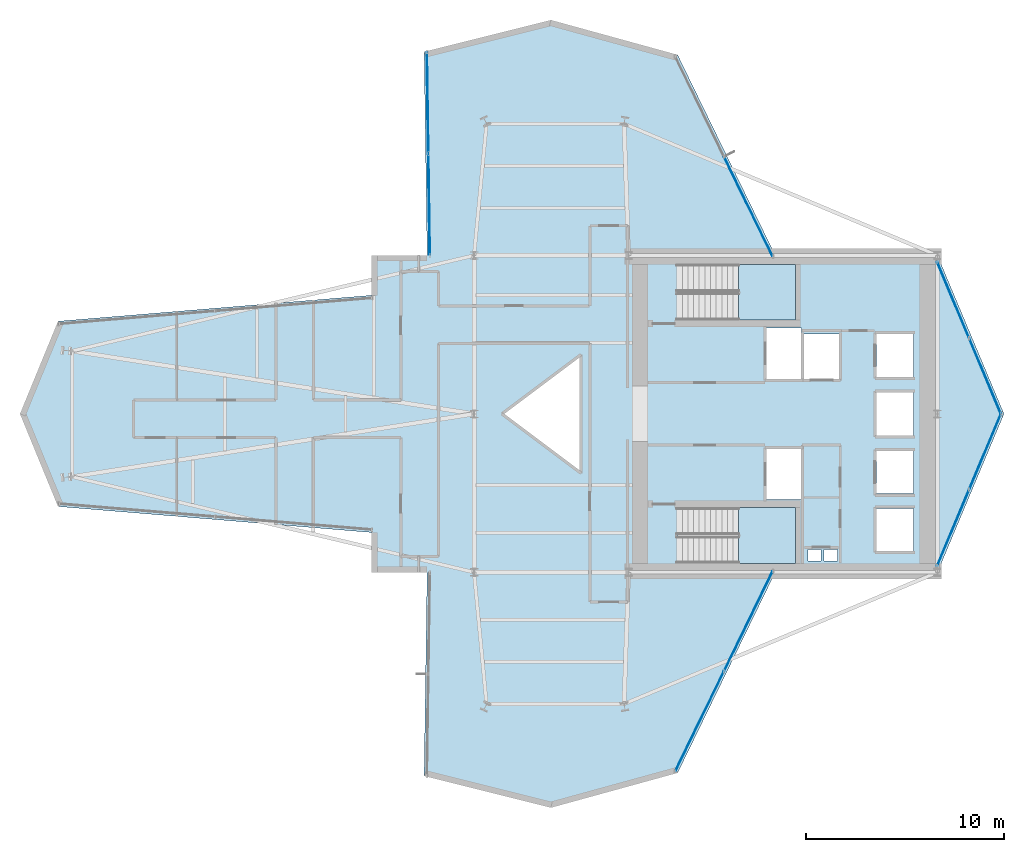
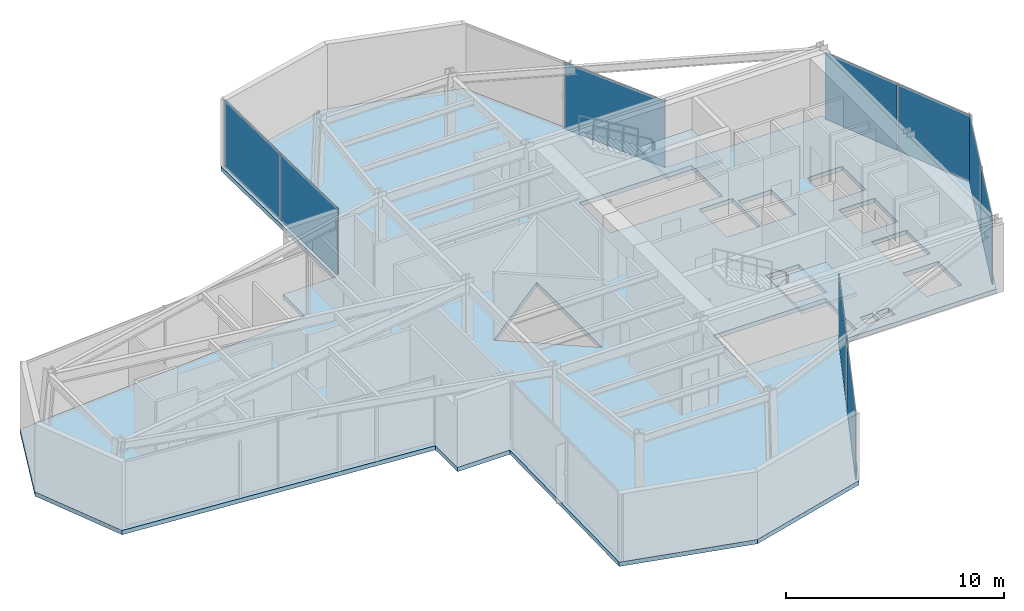
# One storey, part 20 of 24: 9 plates, 3 slabs, 7 elements without a shape of their own.
"""IFC4 building model written with IfcOpenShell, lengths in metres."""

from ifc_helpers import new_model, si_unit, direction, frame, origin, origin_2d, place, context, subcontext, project, spatial, polyline, rectangle, outline, extrude, material, layer, layer_set, type_object, element, aggregate, save


model = new_model("IFC4")

# Units and contexts
model_context = context("Model", 3, precision=1e-05, world=origin(), true_north=direction((0.0, 1.0)))
body_context = subcontext(model_context, "Body", "Model", "MODEL_VIEW")
ifc_project = project(units=[si_unit("LENGTHUNIT", "METRE"), si_unit("AREAUNIT", "SQUARE_METRE"), si_unit("VOLUMEUNIT", "CUBIC_METRE"), si_unit("PLANEANGLEUNIT", "RADIAN"), si_unit("MASSUNIT", "GRAM", prefix="KILO")], contexts=[model_context])

# Site, building, storey
site_placement = place(None, origin())
site = spatial("IfcSite", under=ifc_project, at=site_placement, CompositionType="ELEMENT")
building_placement = place(site_placement, origin())
building = spatial("IfcBuilding", under=site, at=building_placement, Name="Veymaron Broadcast Tower", CompositionType="ELEMENT")
storey_placement = place(building_placement, frame((0.0, 0.0, 124.949951171875)))
storey = spatial("IfcBuildingStorey", under=building, at=storey_placement, Name="L28", CompositionType="ELEMENT", Elevation=124.949951171875)

# Curtain wall, plates
ifc_material_1 = material(Name="Anodised aluminium AA 6063-T6 and laminated low-E dark glass", Category="aluminium")
ifc_layer_1 = layer(ifc_material_1, 0.179931640625)
ifc_layer_set_1 = layer_set([ifc_layer_1], Name="Anodised aluminium AA 6063-T6 and laminated low-E dark glass")
curtain_wall_type = type_object("IfcCurtainWallType", Name="CW-SYS-03", PredefinedType="NOTDEFINED", material=ifc_layer_set_1)
curtain_wall_1_placement = place(storey_placement, origin())
curtain_wall_1 = element("IfcCurtainWall", 1, at=curtain_wall_1_placement, inside=storey, type_object=curtain_wall_type, Name="L28 dark-glass curtain wall CW-L28-E2-1", PredefinedType="NOTDEFINED")
ifc_material_2 = material(Name="Insulated dark-anodised aluminium spandrel panel 40 mm", Category="aluminium")
ifc_layer_2 = layer(ifc_material_2, 0.0400390625)
ifc_layer_set_2 = layer_set([ifc_layer_2], Name="Insulated dark-anodised aluminium spandrel panel 40 mm")
plate_type = type_object("IfcPlateType", Name="CW-PNL-03", PredefinedType="CURTAIN_PANEL", material=ifc_layer_set_2)
plate_1_placement = place(storey_placement, frame((55.390380859375, 18.243408203125, 0.0400390625), z_axis=(0.0, 0.0, 1.0), x_axis=(0.387225955483, 0.921984847706, 0.0)))
plate_1 = element("IfcPlate", 2, at=plate_1_placement, type_object=plate_type, Name="CW-L28-E2-1 unitised curtain panel 0", PredefinedType="CURTAIN_PANEL", context=body_context, shape_type="SweptSolid", body=[
    extrude(rectangle(XDim=4.141845703125, YDim=0.0400390625, at=origin_2d()), origin(), (0.0, 0.0, 1.0), 3.72998046875),
])
plate_2_placement = place(storey_placement, frame((57.017333984375, 22.1171875, 0.0400390625), z_axis=(0.0, 0.0, 1.0), x_axis=(0.387225955483, 0.921984847706, 0.0)))
plate_2 = element("IfcPlate", 3, at=plate_2_placement, type_object=plate_type, Name="CW-L28-E2-1 unitised curtain panel 1", PredefinedType="CURTAIN_PANEL", context=body_context, shape_type="SweptSolid", body=[
    extrude(rectangle(XDim=4.141845703125, YDim=0.0400390625, at=origin_2d()), origin(), (0.0, 0.0, 1.0), 3.72998046875),
])
aggregate(curtain_wall_1, [plate_1, plate_2])

curtain_wall_2_placement = place(storey_placement, origin())
curtain_wall_2 = element("IfcCurtainWall", 4, at=curtain_wall_2_placement, inside=storey, type_object=curtain_wall_type, Name="L28 dark-glass curtain wall CW-L28-E3-1", PredefinedType="NOTDEFINED")
plate_3_placement = place(storey_placement, frame((57.017333984375, 25.8828125, 0.0400390625), z_axis=(0.0, 0.0, 1.0), x_axis=(-0.387225955483, 0.921984847706, 0.0)))
plate_3 = element("IfcPlate", 5, at=plate_3_placement, type_object=plate_type, Name="CW-L28-E3-1 unitised curtain panel 0", PredefinedType="CURTAIN_PANEL", context=body_context, shape_type="SweptSolid", body=[
    extrude(rectangle(XDim=4.141845703125, YDim=0.0400390625, at=origin_2d()), origin(), (0.0, 0.0, 1.0), 3.72998046875),
])
plate_4_placement = place(storey_placement, frame((55.390380859375, 29.756591796875, 0.0400390625), z_axis=(0.0, 0.0, 1.0), x_axis=(-0.387225955483, 0.921984847706, 0.0)))
plate_4 = element("IfcPlate", 6, at=plate_4_placement, type_object=plate_type, Name="CW-L28-E3-1 unitised curtain panel 1", PredefinedType="CURTAIN_PANEL", context=body_context, shape_type="SweptSolid", body=[
    extrude(rectangle(XDim=4.141845703125, YDim=0.0400390625, at=origin_2d()), origin(), (0.0, 0.0, 1.0), 3.72998046875),
])
aggregate(curtain_wall_2, [plate_3, plate_4])

# Curtain wall, plate
curtain_wall_3_placement = place(storey_placement, origin())
curtain_wall_3 = element("IfcCurtainWall", 7, at=curtain_wall_3_placement, inside=storey, type_object=curtain_wall_type, Name="L28 dark-glass curtain wall CW-L28-E5-1", PredefinedType="NOTDEFINED")
plate_5_placement = place(storey_placement, frame((45.052490234375, 34.46875, 0.0400390625), z_axis=(0.0, 0.0, 1.0), x_axis=(-0.437822022994, 0.899061664282, 0.0)))
plate_5 = element("IfcPlate", 8, at=plate_5_placement, type_object=plate_type, Name="CW-L28-E5-1 unitised curtain panel 0", PredefinedType="CURTAIN_PANEL", context=body_context, shape_type="SweptSolid", body=[
    extrude(rectangle(XDim=5.568115234375, YDim=0.0400390625, at=origin_2d()), origin(), (0.0, 0.0, 1.0), 3.72998046875),
])
aggregate(curtain_wall_3, [plate_5])

# Curtain wall, plates
curtain_wall_4_placement = place(storey_placement, origin())
curtain_wall_4 = element("IfcCurtainWall", 9, at=curtain_wall_4_placement, inside=storey, type_object=curtain_wall_type, Name="L28 dark-glass curtain wall CW-L28-E8-1", PredefinedType="NOTDEFINED")
plate_6_placement = place(storey_placement, frame((28.85546875, 39.7119140625, 0.0400390625), z_axis=(0.0, 0.0, 1.0), x_axis=(0.014642789111, -0.999892788616, 0.0)))
plate_6 = element("IfcPlate", 10, at=plate_6_placement, type_object=plate_type, Name="CW-L28-E8-1 unitised curtain panel 0", PredefinedType="CURTAIN_PANEL", context=body_context, shape_type="SweptSolid", body=[
    extrude(rectangle(XDim=5.08056640625, YDim=0.0400390625, at=origin_2d()), origin(), (0.0, 0.0, 1.0), 3.72998046875),
])
plate_7_placement = place(storey_placement, frame((28.9306640625, 34.572021484375, 0.0400390625), z_axis=(0.0, 0.0, 1.0), x_axis=(0.014642789111, -0.999892788616, 0.0)))
plate_7 = element("IfcPlate", 11, at=plate_7_placement, type_object=plate_type, Name="CW-L28-E8-1 unitised curtain panel 1", PredefinedType="CURTAIN_PANEL", context=body_context, shape_type="SweptSolid", body=[
    extrude(rectangle(XDim=5.08056640625, YDim=0.0400390625, at=origin_2d()), origin(), (0.0, 0.0, 1.0), 3.72998046875),
])
aggregate(curtain_wall_4, [plate_6, plate_7])

curtain_wall_5_placement = place(storey_placement, origin())
curtain_wall_5 = element("IfcCurtainWall", 12, at=curtain_wall_5_placement, inside=storey, type_object=curtain_wall_type, Name="L28 dark-glass curtain wall CW-L28-E20-1", PredefinedType="NOTDEFINED")
plate_8_placement = place(storey_placement, frame((42.58837890625, 8.47119140625, 0.0400390625), z_axis=(0.0, 0.0, 1.0), x_axis=(0.437822022994, 0.899061664282, 0.0)))
plate_8 = element("IfcPlate", 13, at=plate_8_placement, type_object=plate_type, Name="CW-L28-E20-1 unitised curtain panel 0", PredefinedType="CURTAIN_PANEL", context=body_context, shape_type="SweptSolid", body=[
    extrude(rectangle(XDim=5.568115234375, YDim=0.0400390625, at=origin_2d()), origin(), (0.0, 0.0, 1.0), 3.72998046875),
])
plate_9_placement = place(storey_placement, frame((45.052490234375, 13.53125, 0.0400390625), z_axis=(0.0, 0.0, 1.0), x_axis=(0.437822022994, 0.899061664282, 0.0)))
plate_9 = element("IfcPlate", 14, at=plate_9_placement, type_object=plate_type, Name="CW-L28-E20-1 unitised curtain panel 1", PredefinedType="CURTAIN_PANEL", context=body_context, shape_type="SweptSolid", body=[
    extrude(rectangle(XDim=5.568115234375, YDim=0.0400390625, at=origin_2d()), origin(), (0.0, 0.0, 1.0), 3.72998046875),
])
aggregate(curtain_wall_5, [plate_8, plate_9])

# Slab
ifc_material_3 = material(Name="Concrete C40/50", Category="concrete")
ifc_layer_3 = layer(ifc_material_3, 0.239990234375)
ifc_layer_set_3 = layer_set([ifc_layer_3], Name="Concrete C40/50")
slab_type_1 = type_object("IfcSlabType", Name="SLAB-FS6", PredefinedType="FLOOR", material=ifc_layer_set_3)
slab_1_placement = place(storey_placement, frame((0.0, 0.0, -0.239990234375)))
element("IfcSlab", 15, at=slab_1_placement, inside=storey, type_object=slab_type_1, Name="L28 structural floor slab", PredefinedType="FLOOR", context=body_context, shape_type="SweptSolid", body=[
    extrude(outline(polyline([(46.410400390625, 16.0), (54.60009765625, 16.0), (57.9599609375, 24.0), (54.60009765625, 32.0), (46.410400390625, 32.0), (41.482177734375, 42.1201171875), (35.080078125, 43.8798828125), (28.677734375, 42.280029296875), (28.828369140625, 32.0), (26.0400390625, 32.0), (26.0400390625, 29.990478515625), (10.199951171875, 28.6787109375), (8.280029296875, 24.0), (10.199951171875, 19.3212890625), (26.0400390625, 18.009521484375), (26.0400390625, 16.0), (28.828369140625, 16.0), (28.677734375, 5.719970703125), (35.080078125, 4.1201171875), (41.482177734375, 5.8798828125), (46.410400390625, 16.0)]), holes=[polyline([(45.969970703125, 28.330078125), (47.72998046875, 28.330078125), (47.72998046875, 25.77001953125), (45.969970703125, 25.77001953125), (45.969970703125, 28.330078125)]), polyline([(45.969970703125, 22.22998046875), (47.72998046875, 22.22998046875), (47.72998046875, 19.669921875), (45.969970703125, 19.669921875), (45.969970703125, 22.22998046875)]), polyline([(47.8701171875, 28.030029296875), (49.6298828125, 28.030029296875), (49.6298828125, 25.77001953125), (47.8701171875, 25.77001953125), (47.8701171875, 28.030029296875)]), polyline([(51.52001953125, 28.030029296875), (53.3798828125, 28.030029296875), (53.3798828125, 25.8701171875), (51.52001953125, 25.8701171875), (51.52001953125, 28.030029296875)]), polyline([(51.52001953125, 22.1298828125), (53.3798828125, 22.1298828125), (53.3798828125, 19.969970703125), (51.52001953125, 19.969970703125), (51.52001953125, 22.1298828125)]), polyline([(51.52001953125, 25.080078125), (53.3798828125, 25.080078125), (53.3798828125, 22.919921875), (51.52001953125, 22.919921875), (51.52001953125, 25.080078125)]), polyline([(51.52001953125, 19.22998046875), (53.3798828125, 19.22998046875), (53.3798828125, 17.070068359375), (51.52001953125, 17.070068359375), (51.52001953125, 19.22998046875)]), polyline([(48.050048828125, 17.159912109375), (48.719970703125, 17.159912109375), (48.719970703125, 16.56005859375), (48.050048828125, 16.56005859375), (48.050048828125, 17.159912109375)]), polyline([(48.8798828125, 17.159912109375), (49.550048828125, 17.159912109375), (49.550048828125, 16.56005859375), (48.8798828125, 16.56005859375), (48.8798828125, 17.159912109375)]), polyline([(36.60009765625, 27.0), (36.60009765625, 21.0), (32.60009765625, 24.0), (36.60009765625, 27.0)]), polyline([(41.489990234375, 31.550048828125), (47.43994140625, 31.550048828125), (47.43994140625, 28.72998046875), (41.489990234375, 28.72998046875), (41.489990234375, 31.550048828125)]), polyline([(41.489990234375, 19.27001953125), (47.43994140625, 19.27001953125), (47.43994140625, 16.449951171875), (41.489990234375, 16.449951171875), (41.489990234375, 19.27001953125)])]), origin(), (0.0, 0.0, 1.0), 0.239990234375),
])

# Stair, slab
ifc_material_4 = material(Name="Concrete C50/60", Category="concrete")
stair_type_1 = type_object("IfcStairType", Name="STAIR-CORE-1", PredefinedType="HALF_TURN_STAIR", material=ifc_material_4)
stair_1_placement = place(storey_placement, origin())
stair_1 = element("IfcStair", 16, at=stair_1_placement, inside=storey, type_object=stair_type_1, Name="L28 North protected dog-leg exit stair ST1", PredefinedType="HALF_TURN_STAIR")
ifc_layer_4 = layer(ifc_material_4, 0.199951171875)
ifc_layer_set_4 = layer_set([ifc_layer_4], Name="Concrete C50/60")
slab_type_2 = type_object("IfcSlabType", Name="SLAB-STAIR-LDG", PredefinedType="LANDING", material=ifc_layer_set_4)
slab_2_placement = place(storey_placement, frame((0.0, 0.0, 1.824951171875)))
slab_2 = element("IfcSlab", 17, at=slab_2_placement, type_object=slab_type_2, Name="ST1 landing 1", PredefinedType="LANDING", context=body_context, shape_type="SweptSolid", body=[
    extrude(outline(polyline([(44.56494140625, 28.72998046875), (47.43994140625, 28.72998046875), (47.43994140625, 31.550048828125), (44.56494140625, 31.550048828125), (44.56494140625, 28.72998046875)])), origin(), (0.0, 0.0, 1.0), 0.2001953125),
])
aggregate(stair_1, [slab_2])

stair_type_2 = type_object("IfcStairType", Name="STAIR-CORE-2", PredefinedType="HALF_TURN_STAIR", material=ifc_material_4)
stair_2_placement = place(storey_placement, origin())
stair_2 = element("IfcStair", 18, at=stair_2_placement, inside=storey, type_object=stair_type_2, Name="L28 South protected dog-leg exit stair ST2", PredefinedType="HALF_TURN_STAIR")
slab_3_placement = place(storey_placement, frame((0.0, 0.0, 1.824951171875)))
slab_3 = element("IfcSlab", 19, at=slab_3_placement, type_object=slab_type_2, Name="ST2 landing 1", PredefinedType="LANDING", context=body_context, shape_type="SweptSolid", body=[
    extrude(outline(polyline([(44.56494140625, 16.449951171875), (47.43994140625, 16.449951171875), (47.43994140625, 19.27001953125), (44.56494140625, 19.27001953125), (44.56494140625, 16.449951171875)])), origin(), (0.0, 0.0, 1.0), 0.2001953125),
])
aggregate(stair_2, [slab_3])

save(model, "model.ifc")
